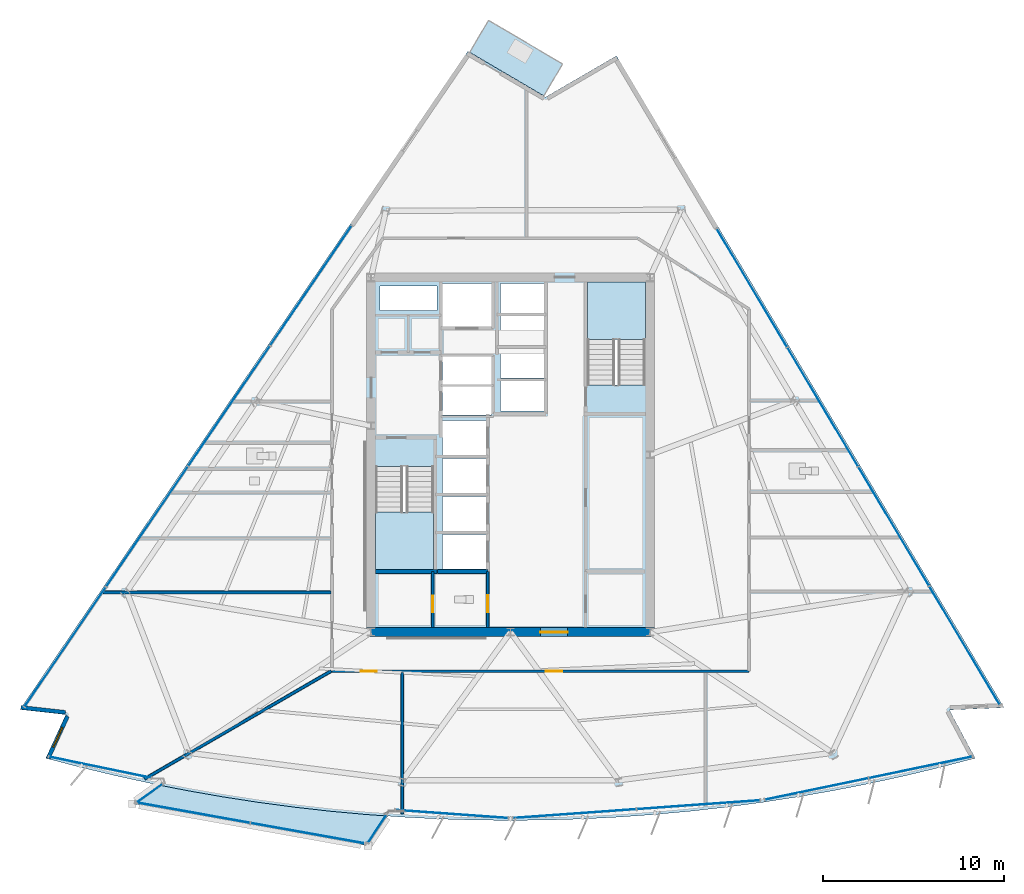
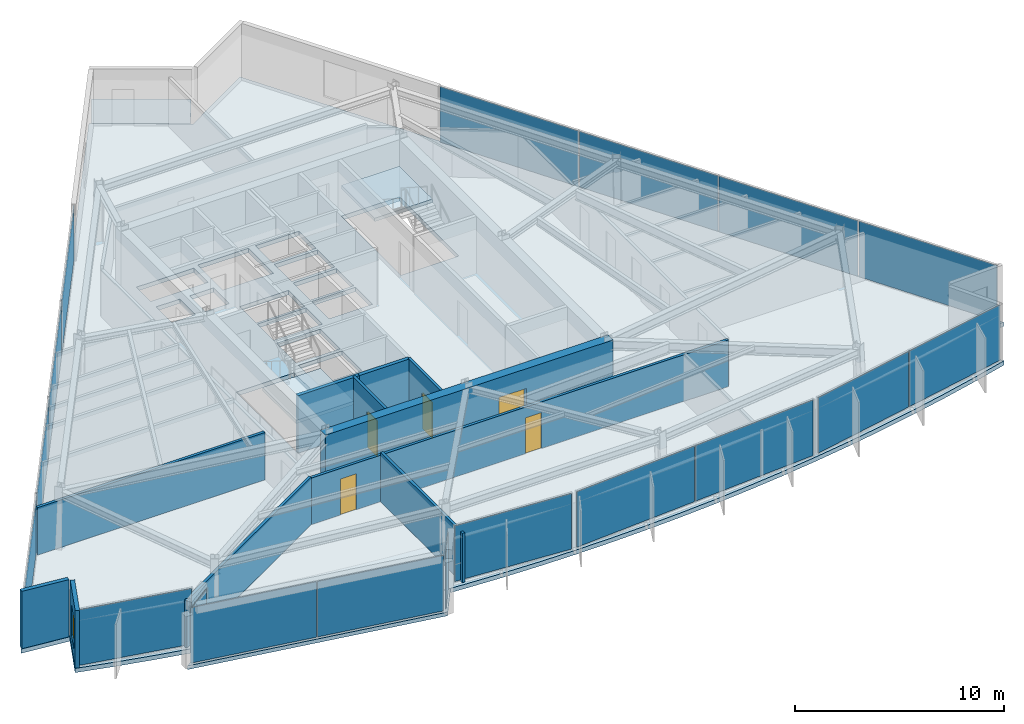
# One storey, part 8 of 16: 18 plates, 11 walls, 5 doors, 5 slabs, 1 window, 6 openings, 11 elements without a shape of their own.
"""IFC4 building model written with IfcOpenShell, lengths in metres."""

from ifc_helpers import new_model, si_unit, direction, frame, frame_2d, origin, origin_2d, place, context, subcontext, project, spatial, polyline, rectangle, outline, extrude, material, layer, layer_set, type_object, element, fill, aggregate, save


model = new_model("IFC4")

# Units and contexts
model_context = context("Model", 3, precision=1e-05, world=origin(), true_north=direction((0.0, 1.0)))
body_context = subcontext(model_context, "Body", "Model", "MODEL_VIEW")
ifc_project = project(units=[si_unit("LENGTHUNIT", "METRE"), si_unit("AREAUNIT", "SQUARE_METRE"), si_unit("VOLUMEUNIT", "CUBIC_METRE"), si_unit("PLANEANGLEUNIT", "RADIAN"), si_unit("MASSUNIT", "GRAM", prefix="KILO")], contexts=[model_context])

# Site, building, storey
site_placement = place(None, origin())
site = spatial("IfcSite", under=ifc_project, at=site_placement, CompositionType="ELEMENT")
building_placement = place(site_placement, origin())
building = spatial("IfcBuilding", under=site, at=building_placement, Name="Savorim Split Tower", CompositionType="ELEMENT")
storey_placement = place(building_placement, frame((0.0, 0.0, 153.0)))
storey = spatial("IfcBuildingStorey", under=building, at=storey_placement, Name="L40", CompositionType="ELEMENT", Elevation=153.0)

# Curtain wall, plate
ifc_material_1 = material(Name="Dark Ceramic-Fritted Insulated Glass", Category="glass")
curtain_wall_type_1 = type_object("IfcCurtainWallType", Name="CW-TWR-FRIT-B", PredefinedType="NOTDEFINED", material=ifc_material_1)
curtain_wall_1_placement = place(storey_placement, origin())
curtain_wall_1 = element("IfcCurtainWall", 1, at=curtain_wall_1_placement, inside=storey, type_object=curtain_wall_type_1, Name="L40 Curtain Wall CW-L40-SF1A", PredefinedType="NOTDEFINED")
ifc_layer_1 = layer(ifc_material_1, 0.02587890625)
ifc_layer_set_1 = layer_set([ifc_layer_1], Name="CWP-FRITB-26")
plate_type_1 = type_object("IfcPlateType", Name="CWP-FRITB-26", PredefinedType="CURTAIN_PANEL", material=ifc_layer_set_1)
plate_1_placement = place(storey_placement, frame((-22.677734375, -16.865478515625, 0.050048828125), z_axis=(0.0, 0.0, 1.0), x_axis=(0.979134349146, -0.203213991452, 0.0)))
plate_1 = element("IfcPlate", 2, at=plate_1_placement, type_object=plate_type_1, Name="CW-03 panel 1.1", PredefinedType="CURTAIN_PANEL", context=body_context, shape_type="SweptSolid", body=[
    extrude(rectangle(XDim=5.749755859375, YDim=0.02587890625, at=origin_2d()), origin(), (0.0, 0.0, 1.0), 3.25),
])
aggregate(curtain_wall_1, [plate_1])

curtain_wall_2_placement = place(storey_placement, origin())
curtain_wall_2 = element("IfcCurtainWall", 3, at=curtain_wall_2_placement, inside=storey, type_object=curtain_wall_type_1, Name="L40 Curtain Wall CW-L40-SF2A", PredefinedType="NOTDEFINED")
plate_2_placement = place(storey_placement, frame((-3.245361328125, -19.448486328125, 0.050048828125), z_axis=(0.0, 0.0, 1.0), x_axis=(0.99743512969, -0.071576267442, 0.0)))
plate_2 = element("IfcPlate", 4, at=plate_2_placement, type_object=plate_type_1, Name="CW-03 panel 1.1", PredefinedType="CURTAIN_PANEL", context=body_context, shape_type="SweptSolid", body=[
    extrude(rectangle(XDim=6.204833984375, YDim=0.02587890625, at=origin_2d()), origin(), (0.0, 0.0, 1.0), 3.25),
])
aggregate(curtain_wall_2, [plate_2])

# Curtain wall, plates
curtain_wall_3_placement = place(storey_placement, origin())
curtain_wall_3 = element("IfcCurtainWall", 5, at=curtain_wall_3_placement, inside=storey, type_object=curtain_wall_type_1, Name="L40 Curtain Wall CW-L40-SF3A", PredefinedType="NOTDEFINED")
plate_3_placement = place(storey_placement, frame((3.54150390625, -19.42724609375, 0.050048828125), z_axis=(0.0, 0.0, 1.0), x_axis=(0.997436100249, 0.071562741149, 0.0)))
plate_3 = element("IfcPlate", 6, at=plate_3_placement, type_object=plate_type_1, Name="CW-03 panel 1.1", PredefinedType="CURTAIN_PANEL", context=body_context, shape_type="SweptSolid", body=[
    extrude(rectangle(XDim=6.79833984375, YDim=0.02587890625, at=origin_2d()), origin(), (0.0, 0.0, 1.0), 3.25),
])
plate_4_placement = place(storey_placement, frame((10.38232421875, -18.9365234375, 0.050048828125), z_axis=(0.0, 0.0, 1.0), x_axis=(0.997436100249, 0.071562741149, 0.0)))
plate_4 = element("IfcPlate", 7, at=plate_4_placement, type_object=plate_type_1, Name="CW-03 panel 2.1", PredefinedType="CURTAIN_PANEL", context=body_context, shape_type="SweptSolid", body=[
    extrude(rectangle(XDim=6.79833984375, YDim=0.02587890625, at=origin_2d()), origin(), (0.0, 0.0, 1.0), 3.25),
])
aggregate(curtain_wall_3, [plate_3, plate_4])

curtain_wall_4_placement = place(storey_placement, origin())
curtain_wall_4 = element("IfcCurtainWall", 8, at=curtain_wall_4_placement, inside=storey, type_object=curtain_wall_type_1, Name="L40 Curtain Wall CW-L40-SF4A", PredefinedType="NOTDEFINED")
plate_5_placement = place(storey_placement, frame((16.913330078125, -18.06201171875, 0.050048828125), z_axis=(0.0, 0.0, 1.0), x_axis=(0.979134697741, 0.20321231183, 0.0)))
plate_5 = element("IfcPlate", 9, at=plate_5_placement, type_object=plate_type_1, Name="CW-03 panel 1.1", PredefinedType="CURTAIN_PANEL", context=body_context, shape_type="SweptSolid", body=[
    extrude(rectangle(XDim=5.80126953125, YDim=0.02587890625, at=origin_2d()), origin(), (0.0, 0.0, 1.0), 3.25),
])
plate_6_placement = place(storey_placement, frame((22.65234375, -16.870849609375, 0.050048828125), z_axis=(0.0, 0.0, 1.0), x_axis=(0.979134697741, 0.20321231183, 0.0)))
plate_6 = element("IfcPlate", 10, at=plate_6_placement, type_object=plate_type_1, Name="CW-03 panel 2.1", PredefinedType="CURTAIN_PANEL", context=body_context, shape_type="SweptSolid", body=[
    extrude(rectangle(XDim=5.80126953125, YDim=0.02587890625, at=origin_2d()), origin(), (0.0, 0.0, 1.0), 3.25),
])
aggregate(curtain_wall_4, [plate_5, plate_6])

curtain_wall_5_placement = place(storey_placement, origin())
curtain_wall_5 = element("IfcCurtainWall", 11, at=curtain_wall_5_placement, inside=storey, type_object=curtain_wall_type_1, Name="L40 Curtain Wall CW-L40-EAST", PredefinedType="NOTDEFINED")
plate_7_placement = place(storey_placement, frame((25.08154296875, -10.132568359375, 0.050048828125), z_axis=(0.0, 0.0, 1.0), x_axis=(-0.511091470039, 0.859526328423, 0.0)))
plate_7 = element("IfcPlate", 12, at=plate_7_placement, type_object=plate_type_1, Name="CW-03 panel 1.1", PredefinedType="CURTAIN_PANEL", context=body_context, shape_type="SweptSolid", body=[
    extrude(rectangle(XDim=7.579345703125, YDim=0.02587890625, at=origin_2d()), origin(), (0.0, 0.0, 1.0), 3.25),
])
plate_8_placement = place(storey_placement, frame((21.169677734375, -3.553466796875, 0.050048828125), z_axis=(0.0, 0.0, 1.0), x_axis=(-0.511091470039, 0.859526328423, 0.0)))
plate_8 = element("IfcPlate", 13, at=plate_8_placement, type_object=plate_type_1, Name="CW-03 panel 2.1", PredefinedType="CURTAIN_PANEL", context=body_context, shape_type="SweptSolid", body=[
    extrude(rectangle(XDim=7.609130859375, YDim=0.02587890625, at=origin_2d()), origin(), (0.0, 0.0, 1.0), 3.25),
])
plate_9_placement = place(storey_placement, frame((17.25, 3.038330078125, 0.050048828125), z_axis=(0.0, 0.0, 1.0), x_axis=(-0.511091470039, 0.859526328423, 0.0)))
plate_9 = element("IfcPlate", 14, at=plate_9_placement, type_object=plate_type_1, Name="CW-03 panel 3.1", PredefinedType="CURTAIN_PANEL", context=body_context, shape_type="SweptSolid", body=[
    extrude(rectangle(XDim=7.609130859375, YDim=0.02587890625, at=origin_2d()), origin(), (0.0, 0.0, 1.0), 3.25),
])
plate_10_placement = place(storey_placement, frame((13.337890625, 9.617431640625, 0.050048828125), z_axis=(0.0, 0.0, 1.0), x_axis=(-0.511091470039, 0.859526328423, 0.0)))
plate_10 = element("IfcPlate", 15, at=plate_10_placement, type_object=plate_type_1, Name="CW-03 panel 4.1", PredefinedType="CURTAIN_PANEL", context=body_context, shape_type="SweptSolid", body=[
    extrude(rectangle(XDim=7.579345703125, YDim=0.02587890625, at=origin_2d()), origin(), (0.0, 0.0, 1.0), 3.25),
])
aggregate(curtain_wall_5, [plate_7, plate_8, plate_9, plate_10])

curtain_wall_6_placement = place(storey_placement, origin())
curtain_wall_6 = element("IfcCurtainWall", 16, at=curtain_wall_6_placement, inside=storey, type_object=curtain_wall_type_1, Name="L40 Curtain Wall CW-L40-WEST", PredefinedType="NOTDEFINED")
plate_11_placement = place(storey_placement, frame((-11.0244140625, 9.73828125, 0.050048828125), z_axis=(0.0, 0.0, 1.0), x_axis=(-0.562466456356, -0.826820104662, 0.0)))
plate_11 = element("IfcPlate", 17, at=plate_11_placement, type_object=plate_type_1, Name="CW-03 panel 1.1", PredefinedType="CURTAIN_PANEL", context=body_context, shape_type="SweptSolid", body=[
    extrude(rectangle(XDim=7.965576171875, YDim=0.02587890625, at=origin_2d()), origin(), (0.0, 0.0, 1.0), 3.25),
])
plate_12_placement = place(storey_placement, frame((-15.547119140625, 3.090087890625, 0.050048828125), z_axis=(0.0, 0.0, 1.0), x_axis=(-0.562466456356, -0.826820104662, 0.0)))
plate_12 = element("IfcPlate", 18, at=plate_12_placement, type_object=plate_type_1, Name="CW-03 panel 2.1", PredefinedType="CURTAIN_PANEL", context=body_context, shape_type="SweptSolid", body=[
    extrude(rectangle(XDim=7.99560546875, YDim=0.02587890625, at=origin_2d()), origin(), (0.0, 0.0, 1.0), 3.25),
])
plate_13_placement = place(storey_placement, frame((-20.077880859375, -3.5703125, 0.050048828125), z_axis=(0.0, 0.0, 1.0), x_axis=(-0.562466456356, -0.826820104662, 0.0)))
plate_13 = element("IfcPlate", 19, at=plate_13_placement, type_object=plate_type_1, Name="CW-03 panel 3.1", PredefinedType="CURTAIN_PANEL", context=body_context, shape_type="SweptSolid", body=[
    extrude(rectangle(XDim=7.99560546875, YDim=0.02587890625, at=origin_2d()), origin(), (0.0, 0.0, 1.0), 3.25),
])
plate_14_placement = place(storey_placement, frame((-24.6005859375, -10.218505859375, 0.050048828125), z_axis=(0.0, 0.0, 1.0), x_axis=(-0.562466456356, -0.826820104662, 0.0)))
plate_14 = element("IfcPlate", 20, at=plate_14_placement, type_object=plate_type_1, Name="CW-03 panel 4.1", PredefinedType="CURTAIN_PANEL", context=body_context, shape_type="SweptSolid", body=[
    extrude(rectangle(XDim=7.965576171875, YDim=0.02587890625, at=origin_2d()), origin(), (0.0, 0.0, 1.0), 3.25),
])
aggregate(curtain_wall_6, [plate_11, plate_12, plate_13, plate_14])

curtain_wall_type_2 = type_object("IfcCurtainWallType", Name="CW-BAY-LOUNGE", PredefinedType="NOTDEFINED", material=ifc_material_1)
curtain_wall_7_placement = place(storey_placement, origin())
curtain_wall_7 = element("IfcCurtainWall", 21, at=curtain_wall_7_placement, inside=storey, type_object=curtain_wall_type_2, Name="L40 Curtain Wall CW-L40-BAYF", PredefinedType="NOTDEFINED")
ifc_material_2 = material(Name="Low-E Operable Double Glazing", Category="glass")
ifc_layer_2 = layer(ifc_material_2, 0.031982421875)
ifc_layer_set_2 = layer_set([ifc_layer_2], Name="CWP-POD-32")
plate_type_2 = type_object("IfcPlateType", Name="CWP-POD-32", PredefinedType="CURTAIN_PANEL", material=ifc_layer_set_2)
plate_15_placement = place(storey_placement, frame((-17.5537109375, -19.37158203125, 0.05517578125), z_axis=(0.0, 0.0, 1.0), x_axis=(0.984304905736, -0.17647620957, 0.0)))
plate_15 = element("IfcPlate", 22, at=plate_15_placement, type_object=plate_type_2, Name="CW-04 panel 1.1", PredefinedType="CURTAIN_PANEL", context=body_context, shape_type="SweptSolid", body=[
    extrude(rectangle(XDim=6.40185546875, YDim=0.031982421875, at=origin_2d()), origin(), (0.0, 0.0, 1.0), 3.239990234375),
])
plate_16_placement = place(storey_placement, frame((-11.188232421875, -20.512939453125, 0.05517578125), z_axis=(0.0, 0.0, 1.0), x_axis=(0.984304905736, -0.17647620957, 0.0)))
plate_16 = element("IfcPlate", 23, at=plate_16_placement, type_object=plate_type_2, Name="CW-04 panel 2.1", PredefinedType="CURTAIN_PANEL", context=body_context, shape_type="SweptSolid", body=[
    extrude(rectangle(XDim=6.40185546875, YDim=0.031982421875, at=origin_2d()), origin(), (0.0, 0.0, 1.0), 3.239990234375),
])
aggregate(curtain_wall_7, [plate_15, plate_16])

# Curtain wall, plate
curtain_wall_8_placement = place(storey_placement, origin())
curtain_wall_8 = element("IfcCurtainWall", 24, at=curtain_wall_8_placement, inside=storey, type_object=curtain_wall_type_2, Name="L40 Curtain Wall CW-L40-BAYW", PredefinedType="NOTDEFINED")
plate_17_placement = place(storey_placement, frame((-19.933837890625, -18.299560546875, 0.05517578125), z_axis=(0.0, 0.0, 1.0), x_axis=(-0.812564621302, -0.582871114578, 0.0)))
plate_17 = element("IfcPlate", 25, at=plate_17_placement, type_object=plate_type_2, Name="CW-04 panel 1.1", PredefinedType="CURTAIN_PANEL", context=body_context, shape_type="SweptSolid", body=[
    extrude(rectangle(XDim=1.705078125, YDim=0.031982421875, at=origin_2d()), origin(), (0.0, 0.0, 1.0), 3.239990234375),
])
aggregate(curtain_wall_8, [plate_17])

curtain_wall_9_placement = place(storey_placement, origin())
curtain_wall_9 = element("IfcCurtainWall", 26, at=curtain_wall_9_placement, inside=storey, type_object=curtain_wall_type_2, Name="L40 Curtain Wall CW-L40-BAYE", PredefinedType="NOTDEFINED")
plate_18_placement = place(storey_placement, frame((-7.36279296875, -20.26318359375, 0.05517578125), z_axis=(0.0, 0.0, 1.0), x_axis=(0.554712091952, 0.832042363731, 0.0)))
plate_18 = element("IfcPlate", 27, at=plate_18_placement, type_object=plate_type_2, Name="CW-04 panel 1.1", PredefinedType="CURTAIN_PANEL", context=body_context, shape_type="SweptSolid", body=[
    extrude(rectangle(XDim=1.809814453125, YDim=0.031982421875, at=origin_2d()), origin(), (0.0, 0.0, 1.0), 3.239990234375),
])
aggregate(curtain_wall_9, [plate_18])

# Slabs
ifc_material_3 = material(Name="Concrete C50/60", Category="concrete")
ifc_layer_3 = layer(ifc_material_3, 0.219970703125)
ifc_layer_set_3 = layer_set([ifc_layer_3], Name="SLB-BAL-220")
slab_type_1 = type_object("IfcSlabType", Name="SLB-BAL-220", PredefinedType="FLOOR", material=ifc_layer_set_3)
slab_1_placement = place(storey_placement, frame((0.0, 0.0, -0.219970703125)))
element("IfcSlab", 28, at=slab_1_placement, inside=storey, type_object=slab_type_1, Name="L40 Cantilevered Shared Kitchen Lounge Slab", PredefinedType="FLOOR", context=body_context, shape_type="SweptSolid", body=[
    extrude(outline(polyline([(-6.774658203125, -19.561279296875), (-7.984619140625, -19.474609375), (-9.974609375, -19.291015625), (-11.960205078125, -19.06640625), (-13.94091796875, -18.801513671875), (-15.915771484375, -18.495849609375), (-17.8837890625, -18.150146484375), (-19.46337890625, -17.839111328125), (-20.904296875, -18.87255859375), (-7.873046875, -21.208984375), (-6.774658203125, -19.561279296875)])), origin(), (0.0, 0.0, 1.0), 0.219970703125),
])
slab_2_placement = place(storey_placement, frame((0.0, 0.0, -0.219970703125)))
element("IfcSlab", 29, at=slab_2_placement, inside=storey, type_object=slab_type_1, Name="L40 Notched Corner Planted Tree Balcony Slab", PredefinedType="FLOOR", context=body_context, shape_type="SweptSolid", body=[
    extrude(outline(polyline([(-2.252197265625, 22.634521484375), (1.842529296875, 20.227783203125), (2.87890625, 21.990966796875), (-1.2158203125, 24.397705078125), (-2.252197265625, 22.634521484375)])), origin(), (0.0, 0.0, 1.0), 0.219970703125),
])

# Stair, slab
stair_type = type_object("IfcStairType", Name="STR-DOG-3600", PredefinedType="HALF_TURN_STAIR", material=ifc_material_3)
stair_1_placement = place(storey_placement, origin())
stair_1 = element("IfcStair", 30, at=stair_1_placement, inside=storey, type_object=stair_type, Name="L40 Core Protected Exit Stair ST-1", PredefinedType="HALF_TURN_STAIR")
ifc_layer_4 = layer(ifc_material_3, 0.199951171875)
ifc_layer_set_4 = layer_set([ifc_layer_4], Name="SLB-LND-200")
slab_type_2 = type_object("IfcSlabType", Name="SLB-LND-200", PredefinedType="LANDING", material=ifc_layer_set_4)
slab_3_placement = place(storey_placement, frame((0.0, 0.0, 1.60009765625)))
slab_3 = element("IfcSlab", 31, at=slab_3_placement, type_object=slab_type_2, Name="ST-1 landing 1", PredefinedType="LANDING", context=body_context, shape_type="SweptSolid", body=[
    extrude(outline(polyline([(-7.449951171875, -2.77001953125), (-7.449951171875, -5.949951171875), (-4.25, -5.949951171875), (-4.25, -2.77001953125), (-7.449951171875, -2.77001953125)])), origin(), (0.0, 0.0, 1.0), 0.199951171875),
])
aggregate(stair_1, [slab_3])

stair_2_placement = place(storey_placement, origin())
stair_2 = element("IfcStair", 32, at=stair_2_placement, inside=storey, type_object=stair_type, Name="L40 Core Protected Exit Stair ST-2", PredefinedType="HALF_TURN_STAIR")
slab_4_placement = place(storey_placement, frame((0.0, 0.0, 1.60009765625)))
slab_4 = element("IfcSlab", 33, at=slab_4_placement, type_object=slab_type_2, Name="ST-2 landing 1", PredefinedType="LANDING", context=body_context, shape_type="SweptSolid", body=[
    extrude(outline(polyline([(7.449951171875, 6.77001953125), (7.449951171875, 9.949951171875), (4.25, 9.949951171875), (4.25, 6.77001953125), (7.449951171875, 6.77001953125)])), origin(), (0.0, 0.0, 1.0), 0.199951171875),
])
aggregate(stair_2, [slab_4])

# Slab
ifc_layer_5 = layer(ifc_material_3, 0.25)
ifc_layer_set_5 = layer_set([ifc_layer_5], Name="SLB-TWR-250")
slab_type_3 = type_object("IfcSlabType", Name="SLB-TWR-250", PredefinedType="FLOOR", material=ifc_layer_set_5)
slab_5_placement = place(storey_placement, frame((0.0, 0.0, -0.25)))
element("IfcSlab", 34, at=slab_5_placement, inside=storey, type_object=slab_type_3, Name="L40 Structural Floor Slab", PredefinedType="FLOOR", context=body_context, shape_type="SweptSolid", body=[
    extrude(outline(polyline([(-25.673583984375, -16.366455078125), (-23.740234375, -16.8720703125), (-21.797119140625, -17.337890625), (-19.844482421875, -17.763916015625), (-17.8837890625, -18.150146484375), (-15.915771484375, -18.495849609375), (-13.94091796875, -18.801513671875), (-11.960205078125, -19.06640625), (-9.974609375, -19.291015625), (-7.984619140625, -19.474609375), (-5.991455078125, -19.61767578125), (-3.99560546875, -19.7197265625), (-1.998291015625, -19.78125), (0.0, -19.801513671875), (1.998291015625, -19.78125), (3.99560546875, -19.7197265625), (5.991455078125, -19.61767578125), (7.984619140625, -19.474609375), (9.974609375, -19.291015625), (11.960205078125, -19.06640625), (13.94091796875, -18.801513671875), (15.915771484375, -18.495849609375), (17.8837890625, -18.150146484375), (19.844482421875, -17.763916015625), (21.797119140625, -17.337890625), (23.740234375, -16.8720703125), (25.673583984375, -16.366455078125), (24.24169921875, -13.69775390625), (27.2646484375, -13.569091796875), (5.852294921875, 22.44091796875), (1.943603515625, 20.162841796875), (-2.358154296875, 22.69091796875), (-27.097412109375, -13.675537109375), (-24.567138671875, -13.9580078125), (-25.673583984375, -16.366455078125)]), holes=[polyline([(-7.449951171875, -0.25390625), (-7.449951171875, -5.949951171875), (-4.25, -5.949951171875), (-4.25, -0.25390625), (-7.449951171875, -0.25390625)]), polyline([(7.449951171875, 4.25390625), (7.449951171875, 9.949951171875), (4.25, 9.949951171875), (4.25, 4.25390625), (7.449951171875, 4.25390625)]), polyline([(-3.75, -5.89990234375), (-1.35009765625, -5.89990234375), (-1.35009765625, -4.0), (-3.75, -4.0), (-3.75, -5.89990234375)]), polyline([(-3.75, -3.800048828125), (-1.35009765625, -3.800048828125), (-1.35009765625, -1.89990234375), (-3.75, -1.89990234375), (-3.75, -3.800048828125)]), polyline([(-3.75, -1.699951171875), (-1.35009765625, -1.699951171875), (-1.35009765625, 0.199951171875), (-3.75, 0.199951171875), (-3.75, -1.699951171875)]), polyline([(-3.75, 0.39990234375), (-1.35009765625, 0.39990234375), (-1.35009765625, 2.300048828125), (-3.75, 2.300048828125), (-3.75, 0.39990234375)]), polyline([(-0.550048828125, 2.830078125), (1.85009765625, 2.830078125), (1.85009765625, 4.469970703125), (-0.550048828125, 4.469970703125), (-0.550048828125, 2.830078125)]), polyline([(-0.550048828125, 4.6298828125), (1.85009765625, 4.6298828125), (1.85009765625, 6.27001953125), (-0.550048828125, 6.27001953125), (-0.550048828125, 4.6298828125)]), polyline([(-0.550048828125, 6.429931640625), (1.85009765625, 6.429931640625), (1.85009765625, 8.070068359375), (-0.550048828125, 8.070068359375), (-0.550048828125, 6.429931640625)]), polyline([(-0.550048828125, 8.22998046875), (1.85009765625, 8.22998046875), (1.85009765625, 9.8701171875), (-0.550048828125, 9.8701171875), (-0.550048828125, 8.22998046875)]), polyline([(-3.75, 2.60009765625), (-1.050048828125, 2.60009765625), (-1.050048828125, 4.159912109375), (-3.75, 4.159912109375), (-3.75, 2.60009765625)]), polyline([(-3.75, 4.280029296875), (-1.050048828125, 4.280029296875), (-1.050048828125, 5.840087890625), (-3.75, 5.840087890625), (-3.75, 4.280029296875)]), polyline([(-3.75, 7.449951171875), (-0.949951171875, 7.449951171875), (-0.949951171875, 9.85009765625), (-3.75, 9.85009765625), (-3.75, 7.449951171875)]), polyline([(-7.219970703125, 6.320068359375), (-5.919921875, 6.320068359375), (-5.919921875, 7.820068359375), (-7.219970703125, 7.820068359375), (-7.219970703125, 6.320068359375)]), polyline([(-5.3798828125, 6.320068359375), (-4.050048828125, 6.320068359375), (-4.050048828125, 7.820068359375), (-5.3798828125, 7.820068359375), (-5.3798828125, 6.320068359375)]), polyline([(-7.219970703125, 8.360107421875), (-4.050048828125, 8.360107421875), (-4.050048828125, 9.719970703125), (-7.219970703125, 9.719970703125), (-7.219970703125, 8.360107421875)])]), origin(), (0.0, 0.0, 1.0), 0.25),
])

# Wall, opening, door
ifc_material_4 = material(Name="Concrete C60/75", Category="concrete")
ifc_layer_6 = layer(ifc_material_4, 0.5)
ifc_layer_set_6 = layer_set([ifc_layer_6], Name="WAL-COR-SH500")
wall_type_1 = type_object("IfcWallType", Name="WAL-COR-SH500", PredefinedType="SHEAR", material=ifc_layer_set_6)
wall_1_placement = place(storey_placement, frame((-7.949951171875, -9.39990234375, 0.0), z_axis=(0.0, 0.0, 1.0), x_axis=(1.0, 0.0, 0.0)))
wall_1 = element("IfcWall", 35, at=wall_1_placement, inside=storey, type_object=wall_type_1, Name="L40 Offset Core South Shear Wall", PredefinedType="SHEAR", context=body_context, shape_type="SweptSolid", body=[
    extrude(rectangle(XDim=15.89990234375, YDim=0.5, at=frame_2d((7.949951171875, 0.0))), origin(), (0.0, 0.0, 1.0), 3.35009765625),
])
opening_1_placement = place(wall_1_placement, frame((9.60009765625, 0.0, 0.0)))
opening_1 = element("IfcOpeningElement", 36, at=opening_1_placement, cuts=wall_1, Name="Opening DI-02", PredefinedType="OPENING", context=body_context, shape_type="SweptSolid", body=[
    extrude(rectangle(XDim=1.5, YDim=2.199951171875, at=frame_2d((0.75, 1.10009765625))), frame((0.0, 0.260009765625, 0.0), z_axis=(0.0, -1.0, 0.0), x_axis=(1.0, 0.0, 0.0)), (0.0, 0.0, 1.0), 0.52001953125),
])
ifc_material_5 = material(Name="Timber Fire Door Leaf", Category="wood")
door_type_1 = type_object("IfcDoorType", Name="DOR-DBL-1500", OperationType="NOTDEFINED", PredefinedType="DOOR", material=ifc_material_5)
door_1_placement = place(opening_1_placement, origin())
door_1 = element("IfcDoor", 37, at=door_1_placement, inside=storey, type_object=door_type_1, Name="DOR-L40-COR-LLOB - L40 Lift Lobby Main Rated Door", OperationType="DOUBLE_DOOR_SINGLE_SWING", OverallHeight=2.199951171875, OverallWidth=1.5, PredefinedType="DOOR", context=body_context, shape_type="SweptSolid", body=[
    extrude(rectangle(XDim=1.5, YDim=2.199951171875, at=frame_2d((0.75, 1.10009765625))), frame((0.0, 0.02490234375, 0.0), z_axis=(0.0, -1.0, 0.0), x_axis=(1.0, 0.0, 0.0)), (0.0, 0.0, 1.0), 0.050048828125),
])
fill(opening_1, door_1)

# Wall
ifc_material_6 = material(Name="Precast concrete C40/50", Category="concrete")
ifc_layer_7 = layer(ifc_material_6, 0.219970703125)
ifc_layer_set_7 = layer_set([ifc_layer_7], Name="WAL-EXT-CRN220")
wall_type_2 = type_object("IfcWallType", Name="WAL-EXT-CRN220", PredefinedType="SOLIDWALL", material=ifc_layer_set_7)
wall_2_placement = place(storey_placement, frame((-24.593505859375, -13.83447265625, 0.0), z_axis=(0.0, 0.0, 1.0), x_axis=(-0.993823222634, 0.110974781609, 0.0)))
element("IfcWall", 38, at=wall_2_placement, inside=storey, type_object=wall_type_2, Name="L40 Notched Corner Facade Wall SW1", PredefinedType="SOLIDWALL", context=body_context, shape_type="SweptSolid", body=[
    extrude(rectangle(XDim=2.466064453125, YDim=0.219970703125, at=frame_2d((1.23291015625, 0.0))), origin(), (0.0, 0.0, 1.0), 3.35009765625),
])

# Wall, opening, window
wall_3_placement = place(storey_placement, frame((-25.5478515625, -16.380126953125, 0.0), z_axis=(0.0, 0.0, 1.0), x_axis=(0.417449299542, 0.908700215864, 0.0)))
wall_3 = element("IfcWall", 39, at=wall_3_placement, inside=storey, type_object=wall_type_2, Name="L40 Notched Corner Facade Wall SW", PredefinedType="SOLIDWALL", context=body_context, shape_type="SweptSolid", body=[
    extrude(rectangle(XDim=2.5703125, YDim=0.219970703125, at=frame_2d((1.28515625, 0.0))), origin(), (0.0, 0.0, 1.0), 3.35009765625),
])
opening_2_placement = place(wall_3_placement, frame((0.685302734375, 0.0, 0.6201171875)))
opening_2 = element("IfcOpeningElement", 40, at=opening_2_placement, cuts=wall_3, Name="Opening WN-08", PredefinedType="OPENING", context=body_context, shape_type="SweptSolid", body=[
    extrude(rectangle(XDim=1.199951171875, YDim=1.800048828125, at=frame_2d((0.60009765625, 0.89990234375))), frame((0.0, 0.119873046875, 0.0), z_axis=(0.0, -1.0, 0.0), x_axis=(1.0, 0.0, 0.0)), (0.0, 0.0, 1.0), 0.239990234375),
])
window_type = type_object("IfcWindowType", Name="WIN-TWR-1200x1800", PartitioningType="SINGLE_PANEL", PredefinedType="WINDOW", material=ifc_material_2)
window_placement = place(opening_2_placement, origin())
window = element("IfcWindow", 41, at=window_placement, inside=storey, type_object=window_type, Name="L40 Operable Corner Window SW", OverallHeight=1.800048828125, OverallWidth=1.199951171875, PartitioningType="SINGLE_PANEL", PredefinedType="WINDOW", context=body_context, shape_type="SweptSolid", body=[
    extrude(rectangle(XDim=1.199951171875, YDim=1.800048828125, at=frame_2d((0.60009765625, 0.89990234375))), frame((0.0, 0.030029296875, 0.0), z_axis=(0.0, -1.0, 0.0), x_axis=(1.0, 0.0, 0.0)), (0.0, 0.0, 1.0), 0.06005859375),
])
fill(opening_2, window)

# Walls
ifc_layer_8 = layer(ifc_material_3, 0.199951171875)
ifc_layer_set_8 = layer_set([ifc_layer_8], Name="WAL-INT-RC200")
wall_type_3 = type_object("IfcWallType", Name="WAL-INT-RC200", PredefinedType="SOLIDWALL", material=ifc_layer_set_8)
wall_4_placement = place(storey_placement, frame((-7.449951171875, -6.050048828125, 0.0), z_axis=(0.0, 0.0, 1.0), x_axis=(1.0, 0.0, 0.0)))
element("IfcWall", 42, at=wall_4_placement, inside=storey, type_object=wall_type_3, Name="L40 Structural Shaft Wall W-L40-KSEP-W", PredefinedType="SOLIDWALL", context=body_context, shape_type="SweptSolid", body=[
    extrude(rectangle(XDim=3.39990234375, YDim=0.199951171875, at=frame_2d((1.699951171875, 0.0))), origin(), (0.0, 0.0, 1.0), 3.35009765625),
])
wall_5_placement = place(storey_placement, frame((-4.0400390625, -6.050048828125, 0.0), z_axis=(0.0, 0.0, 1.0), x_axis=(1.0, 0.0, 0.0)))
element("IfcWall", 43, at=wall_5_placement, inside=storey, type_object=wall_type_3, Name="L40 Partition W-L40-KSEP-W2", PredefinedType="SOLIDWALL", context=body_context, shape_type="SweptSolid", body=[
    extrude(rectangle(XDim=2.7900390625, YDim=0.199951171875, at=frame_2d((1.39501953125, 0.0))), origin(), (0.0, 0.0, 1.0), 3.35009765625),
])

# Wall, opening, door
ifc_material_7 = material(Name="Acoustic Gypsum Partition Board")
ifc_layer_9 = layer(ifc_material_7, 0.14990234375)
ifc_layer_set_9 = layer_set([ifc_layer_9], Name="WAL-PAR-150")
wall_type_4 = type_object("IfcWallType", Name="WAL-PAR-150", PredefinedType="PARTITIONING", material=ifc_layer_set_9)
wall_6_placement = place(storey_placement, frame((-1.25, -9.14501953125, 0.0), z_axis=(0.0, 0.0, 1.0), x_axis=(0.0, 1.0, 0.0)))
wall_6 = element("IfcWall", 44, at=wall_6_placement, inside=storey, type_object=wall_type_4, Name="L40 Partition W-L40-KLOB-W", PredefinedType="PARTITIONING", context=body_context, shape_type="SweptSolid", body=[
    extrude(rectangle(XDim=3.094970703125, YDim=0.14990234375, at=frame_2d((1.54736328125, 0.0))), origin(), (0.0, 0.0, 1.0), 3.35009765625),
])
opening_3_placement = place(wall_6_placement, frame((0.844970703125, 0.0, 0.0)))
opening_3 = element("IfcOpeningElement", 45, at=opening_3_placement, cuts=wall_6, Name="Opening DI-10", PredefinedType="OPENING", context=body_context, shape_type="SweptSolid", body=[
    extrude(rectangle(XDim=0.949951171875, YDim=2.10009765625, at=frame_2d((0.47509765625, 1.050048828125))), frame((0.0, 0.0849609375, 0.0), z_axis=(0.0, -1.0, 0.0), x_axis=(1.0, 0.0, 0.0)), (0.0, 0.0, 1.0), 0.169921875),
])
ifc_material_8 = material(Name="Oak Veneer Acoustic Door")
door_type_2 = type_object("IfcDoorType", Name="DOR-WC-950", OperationType="NOTDEFINED", PredefinedType="DOOR", material=ifc_material_8)
door_2_placement = place(opening_3_placement, origin())
door_2 = element("IfcDoor", 46, at=door_2_placement, inside=storey, type_object=door_type_2, Name="DR-L40-K1WC - L40 Core Accessible WC Door", OperationType="SINGLE_SWING_LEFT", OverallHeight=2.10009765625, OverallWidth=0.949951171875, PredefinedType="DOOR", context=body_context, shape_type="SweptSolid", body=[
    extrude(rectangle(XDim=0.949951171875, YDim=2.10009765625, at=frame_2d((0.47509765625, 1.050048828125))), frame((0.0, 0.02490234375, 0.0), z_axis=(0.0, -1.0, 0.0), x_axis=(1.0, 0.0, 0.0)), (0.0, 0.0, 1.0), 0.050048828125),
])
fill(opening_3, door_2)

wall_7_placement = place(storey_placement, frame((-4.300048828125, -9.14501953125, 0.0), z_axis=(0.0, 0.0, 1.0), x_axis=(0.0, 1.0, 0.0)))
wall_7 = element("IfcWall", 47, at=wall_7_placement, inside=storey, type_object=wall_type_4, Name="L40 Partition W-L40-K1W", PredefinedType="PARTITIONING", context=body_context, shape_type="SweptSolid", body=[
    extrude(rectangle(XDim=3.094970703125, YDim=0.14990234375, at=frame_2d((1.54736328125, 0.0))), origin(), (0.0, 0.0, 1.0), 3.35009765625),
])
opening_4_placement = place(wall_7_placement, frame((0.844970703125, 0.0, 0.0)))
opening_4 = element("IfcOpeningElement", 48, at=opening_4_placement, cuts=wall_7, Name="Opening DI-06", PredefinedType="OPENING", context=body_context, shape_type="SweptSolid", body=[
    extrude(rectangle(XDim=0.89990234375, YDim=2.10009765625, at=frame_2d((0.449951171875, 1.050048828125))), frame((0.0, 0.0849609375, 0.0), z_axis=(0.0, -1.0, 0.0), x_axis=(1.0, 0.0, 0.0)), (0.0, 0.0, 1.0), 0.169921875),
])
door_type_3 = type_object("IfcDoorType", Name="DOR-FIR-900", OperationType="NOTDEFINED", PredefinedType="DOOR", material=ifc_material_5)
door_3_placement = place(opening_4_placement, origin())
door_3 = element("IfcDoor", 49, at=door_3_placement, inside=storey, type_object=door_type_3, Name="DR-L40-K1HK - L40 Housekeeping Store Door", OperationType="SINGLE_SWING_RIGHT", OverallHeight=2.10009765625, OverallWidth=0.89990234375, PredefinedType="DOOR", context=body_context, shape_type="SweptSolid", body=[
    extrude(rectangle(XDim=0.89990234375, YDim=2.10009765625, at=frame_2d((0.449951171875, 1.050048828125))), frame((0.0, 0.02490234375, 0.0), z_axis=(0.0, -1.0, 0.0), x_axis=(1.0, 0.0, 0.0)), (0.0, 0.0, 1.0), 0.050048828125),
])
fill(opening_4, door_3)

# Wall, openings, doors
wall_8_placement = place(storey_placement, frame((13.179931640625, -11.56005859375, 0.0), z_axis=(0.0, 0.0, 1.0), x_axis=(-1.0, 0.0, 0.0)))
wall_8 = element("IfcWall", 50, at=wall_8_placement, inside=storey, type_object=wall_type_4, Name="L40 Partition W-L40-COR-06", PredefinedType="PARTITIONING", context=body_context, shape_type="SweptSolid", body=[
    extrude(rectangle(XDim=23.0400390625, YDim=0.14990234375, at=frame_2d((11.52001953125, 0.0))), origin(), (0.0, 0.0, 1.0), 2.72509765625),
])
opening_5_placement = place(wall_8_placement, frame((20.557373046875, 0.0, 0.0)))
opening_5 = element("IfcOpeningElement", 51, at=opening_5_placement, cuts=wall_8, Name="Opening DI-06", PredefinedType="OPENING", context=body_context, shape_type="SweptSolid", body=[
    extrude(rectangle(XDim=0.89990234375, YDim=2.10009765625, at=frame_2d((0.449951171875, 1.050048828125))), frame((0.0, 0.0849609375, 0.0), z_axis=(0.0, -1.0, 0.0), x_axis=(1.0, 0.0, 0.0)), (0.0, 0.0, 1.0), 0.169921875),
])
opening_6_placement = place(wall_8_placement, frame((10.327880859375, 0.0, 0.0)))
opening_6 = element("IfcOpeningElement", 52, at=opening_6_placement, cuts=wall_8, Name="Opening DI-06", PredefinedType="OPENING", context=body_context, shape_type="SweptSolid", body=[
    extrude(rectangle(XDim=0.89990234375, YDim=2.10009765625, at=frame_2d((0.449951171875, 1.050048828125))), frame((0.0, 0.0849609375, 0.0), z_axis=(0.0, -1.0, 0.0), x_axis=(1.0, 0.0, 0.0)), (0.0, 0.0, 1.0), 0.169921875),
])
door_4_placement = place(opening_5_placement, origin())
door_4 = element("IfcDoor", 53, at=door_4_placement, inside=storey, type_object=door_type_3, Name="DR-L40-RM06 - L40 Co-Working Commons Entry Door", OperationType="SINGLE_SWING_LEFT", OverallHeight=2.10009765625, OverallWidth=0.89990234375, PredefinedType="DOOR", context=body_context, shape_type="SweptSolid", body=[
    extrude(rectangle(XDim=0.89990234375, YDim=2.10009765625, at=frame_2d((0.449951171875, 1.050048828125))), frame((0.0, 0.02490234375, 0.0), z_axis=(0.0, -1.0, 0.0), x_axis=(1.0, 0.0, 0.0)), (0.0, 0.0, 1.0), 0.050048828125),
])
fill(opening_5, door_4)
door_5_placement = place(opening_6_placement, origin())
door_5 = element("IfcDoor", 54, at=door_5_placement, inside=storey, type_object=door_type_3, Name="DR-L40-RM07 - L40 Co-Working Commons Entry Door", OperationType="SINGLE_SWING_RIGHT", OverallHeight=2.10009765625, OverallWidth=0.89990234375, PredefinedType="DOOR", context=body_context, shape_type="SweptSolid", body=[
    extrude(rectangle(XDim=0.89990234375, YDim=2.10009765625, at=frame_2d((0.449951171875, 1.050048828125))), frame((0.0, 0.02490234375, 0.0), z_axis=(0.0, -1.0, 0.0), x_axis=(1.0, 0.0, 0.0)), (0.0, 0.0, 1.0), 0.050048828125),
])
fill(opening_6, door_5)

# Walls
wall_9_placement = place(storey_placement, frame((-9.9033203125, -11.5458984375, 0.0), z_axis=(0.0, 0.0, 1.0), x_axis=(-0.865562397441, -0.500801094384, 0.0)))
element("IfcWall", 55, at=wall_9_placement, inside=storey, type_object=wall_type_4, Name="L40 Partition W-L40-PRAD01", PredefinedType="PARTITIONING", context=body_context, shape_type="SweptSolid", body=[
    extrude(rectangle(XDim=11.9091796875, YDim=0.14990234375, at=frame_2d((5.95458984375, 0.0))), origin(), (0.0, 0.0, 1.0), 2.77490234375),
])
wall_10_placement = place(storey_placement, frame((-5.972900390625, -11.6201171875, 0.0), z_axis=(0.0, 0.0, 1.0), x_axis=(0.0, -1.0, 0.0)))
element("IfcWall", 56, at=wall_10_placement, inside=storey, type_object=wall_type_4, Name="L40 Partition W-L40-PRAD02", PredefinedType="PARTITIONING", context=body_context, shape_type="SweptSolid", body=[
    extrude(rectangle(XDim=7.828125, YDim=0.14990234375, at=frame_2d((3.9140625, 0.0))), origin(), (0.0, 0.0, 1.0), 2.885009765625),
])
wall_11_placement = place(storey_placement, frame((-9.919921875, -7.2080078125, 0.0), z_axis=(0.0, 0.0, 1.0), x_axis=(-1.0, 0.0, 0.0)))
element("IfcWall", 57, at=wall_11_placement, inside=storey, type_object=wall_type_4, Name="L40 Partition W-L40-PRAD10", PredefinedType="PARTITIONING", context=body_context, shape_type="SweptSolid", body=[
    extrude(rectangle(XDim=12.572265625, YDim=0.14990234375, at=frame_2d((6.2861328125, 0.0))), origin(), (0.0, 0.0, 1.0), 2.77490234375),
])

save(model, "model.ifc")
